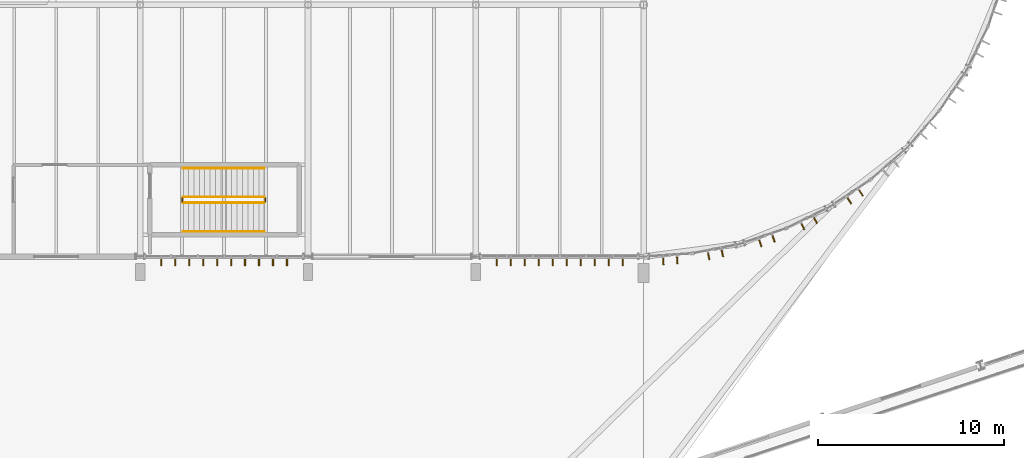
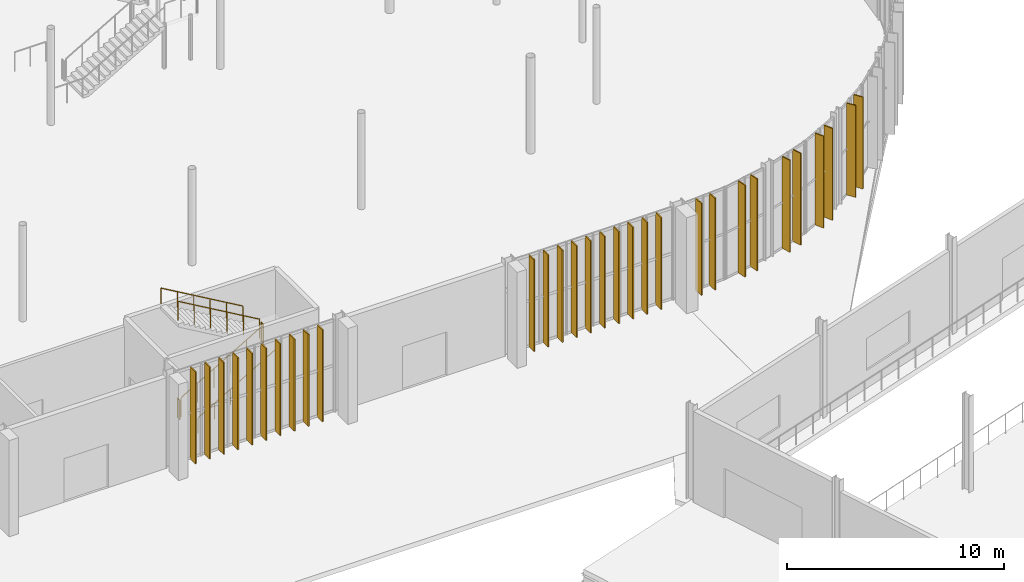
# One storey, part 146 of 158: 30 coverings, 6 railings.
"""IFC4 building model written with IfcOpenShell, lengths in metres."""

from ifc_helpers import new_model, si_unit, derived_unit, direction, frame, origin, origin_2d, place, context, subcontext, project, spatial, rectangle, circle, extrude, material, layer, layer_set, type_object, element, save


model = new_model("IFC4")

# Units and contexts
model_context = context("Model", 3, precision=1e-05, world=origin(), true_north=direction((0.0, 1.0)))
body_context = subcontext(model_context, "Body", "Model", "MODEL_VIEW")
ifc_project = project(units=[si_unit("LENGTHUNIT", "METRE"), si_unit("AREAUNIT", "SQUARE_METRE"), si_unit("VOLUMEUNIT", "CUBIC_METRE"), si_unit("PLANEANGLEUNIT", "RADIAN"), si_unit("MASSUNIT", "GRAM", prefix="KILO"), si_unit("THERMODYNAMICTEMPERATUREUNIT", "KELVIN"), si_unit("TIMEUNIT", "SECOND"), derived_unit("THERMALTRANSMITTANCEUNIT", [(si_unit("MASSUNIT", "GRAM", prefix="KILO"), 1), (si_unit("THERMODYNAMICTEMPERATUREUNIT", "KELVIN"), -1), (si_unit("TIMEUNIT", "SECOND"), -3)])], contexts=[model_context])

# Site, building, storey
site_placement = place(None, origin())
site = spatial("IfcSite", under=ifc_project, at=site_placement, CompositionType="ELEMENT")
building_placement = place(site_placement, origin())
building = spatial("IfcBuilding", under=site, at=building_placement, Name="Cambertide Market Hall", CompositionType="ELEMENT")
storey_placement = place(building_placement, origin())
storey = spatial("IfcBuildingStorey", under=building, at=storey_placement, Name="L01", CompositionType="ELEMENT", Elevation=0.0)

# Railings
ifc_material_1 = material(Name="Stainless Steel Grade 316", Category="metal")
railing_type_1 = type_object("IfcRailingType", Name="Stair Wall Handrail 900", PredefinedType="HANDRAIL", material=ifc_material_1)
railing_1_placement = place(storey_placement, frame((80.300048828125, 53.35009765625, 0.168701171875)))
element("IfcRailing", 1, at=railing_1_placement, inside=storey, type_object=railing_type_1, Name="Level 1 ST-02B stair handrail 1", PredefinedType="HANDRAIL", context=body_context, shape_type="SweptSolid", body=[
    extrude(circle(Radius=0.02392578125, at=origin_2d()), frame((0.0, 0.0, 0.8759765625), z_axis=(0.864311530196, 0.0, 0.502956835891), x_axis=(0.0, 1.0, 0.0)), (0.0, 0.0, 1.0), 5.03271484375),
    extrude(circle(Radius=0.02099609375, at=origin_2d()), origin(), (0.0, 0.0, 1.0), 0.851806640625),
    extrude(circle(Radius=0.02099609375, at=origin_2d()), frame((0.869873046875, 0.0, 0.50634765625)), (0.0, 0.0, 1.0), 0.851806640625),
    extrude(circle(Radius=0.02099609375, at=origin_2d()), frame((1.739990234375, 0.0, 1.012451171875)), (0.0, 0.0, 1.0), 0.851806640625),
    extrude(circle(Radius=0.02099609375, at=origin_2d()), frame((2.60986328125, 0.0, 1.518798828125)), (0.0, 0.0, 1.0), 0.851806640625),
    extrude(circle(Radius=0.02099609375, at=origin_2d()), frame((3.47998046875, 0.0, 2.02490234375)), (0.0, 0.0, 1.0), 0.851806640625),
    extrude(circle(Radius=0.02099609375, at=origin_2d()), frame((4.349853515625, 0.0, 2.53125)), (0.0, 0.0, 1.0), 0.851806640625),
])
railing_2_placement = place(storey_placement, frame((84.64990234375, 56.75, 2.86865234375)))
element("IfcRailing", 2, at=railing_2_placement, inside=storey, type_object=railing_type_1, Name="Level 1 ST-02B stair handrail 2", PredefinedType="HANDRAIL", context=body_context, shape_type="SweptSolid", body=[
    extrude(circle(Radius=0.02392578125, at=origin_2d()), frame((0.0, 0.0, 0.8759765625), z_axis=(-0.864311530196, 0.0, 0.502956835891), x_axis=(0.0, -1.0, 0.0)), (0.0, 0.0, 1.0), 5.03271484375),
    extrude(circle(Radius=0.02099609375, at=origin_2d()), origin(), (0.0, 0.0, 1.0), 0.851806640625),
    extrude(circle(Radius=0.02099609375, at=origin_2d()), frame((-0.869873046875, 0.0, 0.50634765625)), (0.0, 0.0, 1.0), 0.851806640625),
    extrude(circle(Radius=0.02099609375, at=origin_2d()), frame((-1.739990234375, 0.0, 1.012451171875)), (0.0, 0.0, 1.0), 0.851806640625),
    extrude(circle(Radius=0.02099609375, at=origin_2d()), frame((-2.60986328125, 0.0, 1.518798828125)), (0.0, 0.0, 1.0), 0.851806640625),
    extrude(circle(Radius=0.02099609375, at=origin_2d()), frame((-3.47998046875, 0.0, 2.02490234375)), (0.0, 0.0, 1.0), 0.851806640625),
    extrude(circle(Radius=0.02099609375, at=origin_2d()), frame((-4.349853515625, 0.0, 2.53125)), (0.0, 0.0, 1.0), 0.851806640625),
])
ifc_material_2 = material(Name="Stainless Steel Grade 316", Category="metal")
railing_type_2 = type_object("IfcRailingType", Name="Stairwell Inner Guardrail 1100", PredefinedType="GUARDRAIL", material=ifc_material_2)
railing_3_placement = place(storey_placement, frame((80.300048828125, 54.89990234375, 0.168701171875)))
element("IfcRailing", 3, at=railing_3_placement, inside=storey, type_object=railing_type_2, Name="Level 1 ST-02B stair guard 1", PredefinedType="GUARDRAIL", context=body_context, shape_type="SweptSolid", body=[
    extrude(circle(Radius=0.02392578125, at=origin_2d()), frame((0.0, 0.0, 1.076171875), z_axis=(0.864311530196, 0.0, 0.502956835891), x_axis=(0.0, 1.0, 0.0)), (0.0, 0.0, 1.0), 5.03271484375),
    extrude(circle(Radius=0.02099609375, at=origin_2d()), origin(), (0.0, 0.0, 1.0), 1.052001953125),
    extrude(circle(Radius=0.02099609375, at=origin_2d()), frame((0.869873046875, 0.0, 0.50634765625)), (0.0, 0.0, 1.0), 1.052001953125),
    extrude(circle(Radius=0.02099609375, at=origin_2d()), frame((1.739990234375, 0.0, 1.012451171875)), (0.0, 0.0, 1.0), 1.052001953125),
    extrude(circle(Radius=0.02099609375, at=origin_2d()), frame((2.60986328125, 0.0, 1.518798828125)), (0.0, 0.0, 1.0), 1.052001953125),
    extrude(circle(Radius=0.02099609375, at=origin_2d()), frame((3.47998046875, 0.0, 2.02490234375)), (0.0, 0.0, 1.0), 1.052001953125),
    extrude(circle(Radius=0.02099609375, at=origin_2d()), frame((4.349853515625, 0.0, 2.53125)), (0.0, 0.0, 1.0), 1.052001953125),
])
railing_4_placement = place(storey_placement, frame((84.699951171875, 54.949951171875, 2.699951171875)))
element("IfcRailing", 4, at=railing_4_placement, inside=storey, type_object=railing_type_2, Name="Level 1 ST-02B stair guard 2", PredefinedType="GUARDRAIL", context=body_context, shape_type="SweptSolid", body=[
    extrude(circle(Radius=0.02392578125, at=origin_2d()), frame((0.0, 0.0, 1.076171875), z_axis=(0.0, 1.0, 0.0), x_axis=(-1.0, 0.0, 0.0)), (0.0, 0.0, 1.0), 0.199951171875),
    extrude(circle(Radius=0.02099609375, at=origin_2d()), origin(), (0.0, 0.0, 1.0), 1.052001953125),
    extrude(circle(Radius=0.02099609375, at=origin_2d()), frame((0.0, 0.199951171875, 0.0)), (0.0, 0.0, 1.0), 1.052001953125),
])
railing_5_placement = place(storey_placement, frame((84.64990234375, 55.199951171875, 2.86865234375)))
element("IfcRailing", 5, at=railing_5_placement, inside=storey, type_object=railing_type_2, Name="Level 1 ST-02B stair guard 3", PredefinedType="GUARDRAIL", context=body_context, shape_type="SweptSolid", body=[
    extrude(circle(Radius=0.02392578125, at=origin_2d()), frame((0.0, 0.0, 1.076171875), z_axis=(-0.864311530196, 0.0, 0.502956835891), x_axis=(0.0, -1.0, 0.0)), (0.0, 0.0, 1.0), 5.03271484375),
    extrude(circle(Radius=0.02099609375, at=origin_2d()), origin(), (0.0, 0.0, 1.0), 1.052001953125),
    extrude(circle(Radius=0.02099609375, at=origin_2d()), frame((-0.869873046875, 0.0, 0.50634765625)), (0.0, 0.0, 1.0), 1.052001953125),
    extrude(circle(Radius=0.02099609375, at=origin_2d()), frame((-1.739990234375, 0.0, 1.012451171875)), (0.0, 0.0, 1.0), 1.052001953125),
    extrude(circle(Radius=0.02099609375, at=origin_2d()), frame((-2.60986328125, 0.0, 1.518798828125)), (0.0, 0.0, 1.0), 1.052001953125),
    extrude(circle(Radius=0.02099609375, at=origin_2d()), frame((-3.47998046875, 0.0, 2.02490234375)), (0.0, 0.0, 1.0), 1.052001953125),
    extrude(circle(Radius=0.02099609375, at=origin_2d()), frame((-4.349853515625, 0.0, 2.53125)), (0.0, 0.0, 1.0), 1.052001953125),
])
railing_6_placement = place(storey_placement, frame((80.25, 54.949951171875, 0.0)))
element("IfcRailing", 6, at=railing_6_placement, inside=storey, type_object=railing_type_2, Name="Level 1 ST-02B stair guard 4", PredefinedType="GUARDRAIL", context=body_context, shape_type="SweptSolid", body=[
    extrude(circle(Radius=0.02392578125, at=origin_2d()), frame((0.0, 0.0, 1.076171875), z_axis=(0.0, 1.0, 0.0), x_axis=(-1.0, 0.0, 0.0)), (0.0, 0.0, 1.0), 0.199951171875),
    extrude(circle(Radius=0.02099609375, at=origin_2d()), origin(), (0.0, 0.0, 1.0), 1.052001953125),
    extrude(circle(Radius=0.02099609375, at=origin_2d()), frame((0.0, 0.199951171875, 0.0)), (0.0, 0.0, 1.0), 1.052001953125),
])

# Coverings
ifc_material_3 = material(Name="White Marine Anodized Aluminium 6063-T6 AA25", Category="aluminium")
ifc_layer = layer(ifc_material_3, 0.06005859375, Name="White Anodized Lantern Vertical Fin 480x60")
ifc_layer_set = layer_set([ifc_layer], Name="White Marine Anodized Aluminium 6063-T6 AA25")
covering_type = type_object("IfcCoveringType", Name="White Anodized Lantern Vertical Fin 480x60", PredefinedType="CLADDING", material=ifc_layer_set)
for number, where, z_axis, x_axis, name in (
    (7, (85.875, 51.739990234375, 0.0), (0.0, 0.0, 1.0), (-1.0, 0.0, 0.0), "CW-V1S-L01-5 Vertical Fin 1"),
    (8, (85.125, 51.739990234375, 0.0), (0.0, 0.0, 1.0), (-1.0, 0.0, 0.0), "CW-V1S-L01-5 Vertical Fin 2"),
    (9, (84.375, 51.739990234375, 0.0), (0.0, 0.0, 1.0), (-1.0, 0.0, 0.0), "CW-V1S-L01-5 Vertical Fin 3"),
    (10, (83.625, 51.739990234375, 0.0), (0.0, 0.0, 1.0), (-1.0, 0.0, 0.0), "CW-V1S-L01-5 Vertical Fin 4"),
    (11, (82.875, 51.739990234375, 0.0), (0.0, 0.0, 1.0), (-1.0, 0.0, 0.0), "CW-V1S-L01-5 Vertical Fin 5"),
    (12, (82.125, 51.739990234375, 0.0), (0.0, 0.0, 1.0), (-1.0, 0.0, 0.0), "CW-V1S-L01-5 Vertical Fin 6"),
    (13, (81.375, 51.739990234375, 0.0), (0.0, 0.0, 1.0), (-1.0, 0.0, 0.0), "CW-V1S-L01-5 Vertical Fin 7"),
    (14, (80.625, 51.739990234375, 0.0), (0.0, 0.0, 1.0), (-1.0, 0.0, 0.0), "CW-V1S-L01-5 Vertical Fin 8"),
    (15, (79.875, 51.739990234375, 0.0), (0.0, 0.0, 1.0), (-1.0, 0.0, 0.0), "CW-V1S-L01-5 Vertical Fin 9"),
    (16, (79.125, 51.739990234375, 0.0), (0.0, 0.0, 1.0), (-1.0, 0.0, 0.0), "CW-V1S-L01-5 Vertical Fin 10"),
    (17, (103.875, 51.739990234375, 0.0), (0.0, 0.0, 1.0), (-1.0, 0.0, 0.0), "CW-V1S-L01-7 Vertical Fin 1"),
    (18, (103.125, 51.739990234375, 0.0), (0.0, 0.0, 1.0), (-1.0, 0.0, 0.0), "CW-V1S-L01-7 Vertical Fin 2"),
    (19, (102.375, 51.739990234375, 0.0), (0.0, 0.0, 1.0), (-1.0, 0.0, 0.0), "CW-V1S-L01-7 Vertical Fin 3"),
    (20, (101.625, 51.739990234375, 0.0), (0.0, 0.0, 1.0), (-1.0, 0.0, 0.0), "CW-V1S-L01-7 Vertical Fin 4"),
    (21, (100.875, 51.739990234375, 0.0), (0.0, 0.0, 1.0), (-1.0, 0.0, 0.0), "CW-V1S-L01-7 Vertical Fin 5"),
    (22, (100.125, 51.739990234375, 0.0), (0.0, 0.0, 1.0), (-1.0, 0.0, 0.0), "CW-V1S-L01-7 Vertical Fin 6"),
    (23, (99.375, 51.739990234375, 0.0), (0.0, 0.0, 1.0), (-1.0, 0.0, 0.0), "CW-V1S-L01-7 Vertical Fin 7"),
    (24, (98.625, 51.739990234375, 0.0), (0.0, 0.0, 1.0), (-1.0, 0.0, 0.0), "CW-V1S-L01-7 Vertical Fin 8"),
    (25, (97.875, 51.739990234375, 0.0), (0.0, 0.0, 1.0), (-1.0, 0.0, 0.0), "CW-V1S-L01-7 Vertical Fin 9"),
    (26, (97.125, 51.739990234375, 0.0), (0.0, 0.0, 1.0), (-1.0, 0.0, 0.0), "CW-V1S-L01-7 Vertical Fin 10"),
    (27, (106.796142578125, 51.857177734375, 0.0), (0.0, 0.0, 1.0), (-0.997858917819, -0.065403211921, 0.0), "CW-V1AE-L01-01 Vertical Fin 1"),
    (28, (106.0478515625, 51.80810546875, 0.0), (0.0, 0.0, 1.0), (-0.997858917819, -0.065403211921, 0.0), "CW-V1AE-L01-01 Vertical Fin 2"),
    (29, (109.2138671875, 52.224853515625, 0.0), (0.0, 0.0, 1.0), (-0.980785330885, -0.195090068226, 0.0), "CW-V1AE-L01-02 Vertical Fin 1"),
    (30, (108.478271484375, 52.07861328125, 0.0), (0.0, 0.0, 1.0), (-0.980785330885, -0.195090068226, 0.0), "CW-V1AE-L01-02 Vertical Fin 2"),
    (31, (111.948486328125, 53.008544921875, 0.0), (0.0, 0.0, 1.0), (-0.94693012508, -0.32143947831, 0.0), "CW-V1AE-L01-03 Vertical Fin 1"),
    (32, (111.23828125, 52.767333984375, 0.0), (0.0, 0.0, 1.0), (-0.94693012508, -0.32143947831, 0.0), "CW-V1AE-L01-03 Vertical Fin 2"),
    (33, (114.1884765625, 53.989501953125, 0.0), (0.0, 0.0, 1.0), (-0.896872650645, -0.442288874522, 0.0), "CW-V1AE-L01-04 Vertical Fin 1"),
    (34, (113.515869140625, 53.65771484375, 0.0), (0.0, 0.0, 1.0), (-0.896872650645, -0.442288874522, 0.0), "CW-V1AE-L01-04 Vertical Fin 2"),
    (35, (116.626953125, 55.453857421875, 0.0), (0.0, 0.0, 1.0), (-0.831469709481, -0.555570087582, 0.0), "CW-V1AE-L01-05 Vertical Fin 1"),
    (36, (116.00341796875, 55.037353515625, 0.0), (0.0, 0.0, 1.0), (-0.831469709481, -0.555570087582, 0.0), "CW-V1AE-L01-05 Vertical Fin 2"),
):
    element("IfcCovering", number, at=place(storey_placement, frame(where, z_axis=z_axis, x_axis=x_axis)), inside=storey, type_object=covering_type, Name=name, PredefinedType="CLADDING", context=body_context, shape_type="SweptSolid", body=[
        extrude(rectangle(XDim=0.06005859375, YDim=0.47998046875, at=origin_2d()), origin(), (0.0, 0.0, 1.0), 5.159912109375),
    ])

save(model, "model.ifc")
